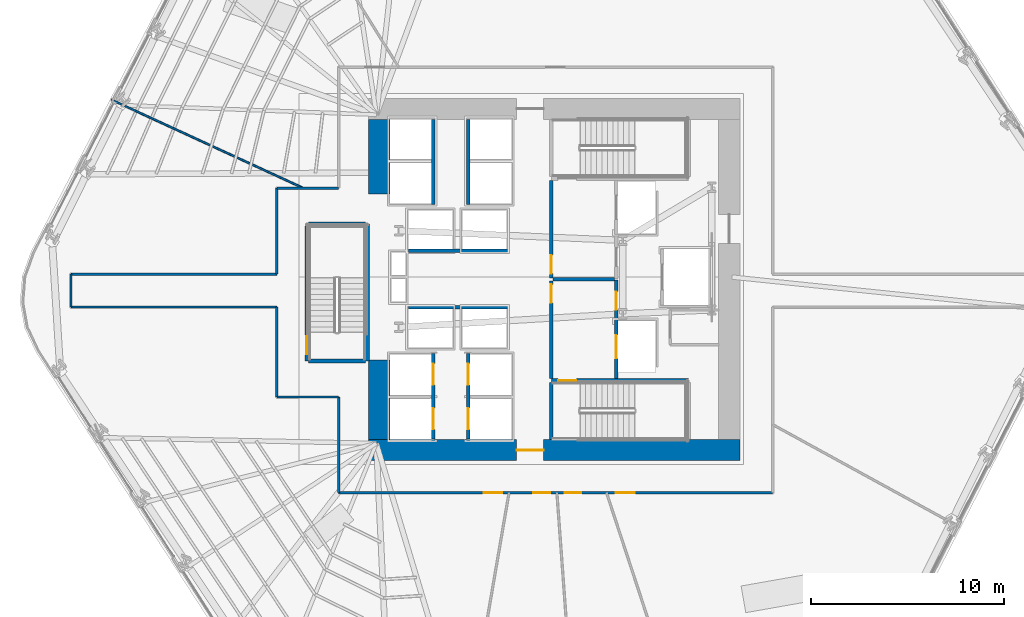
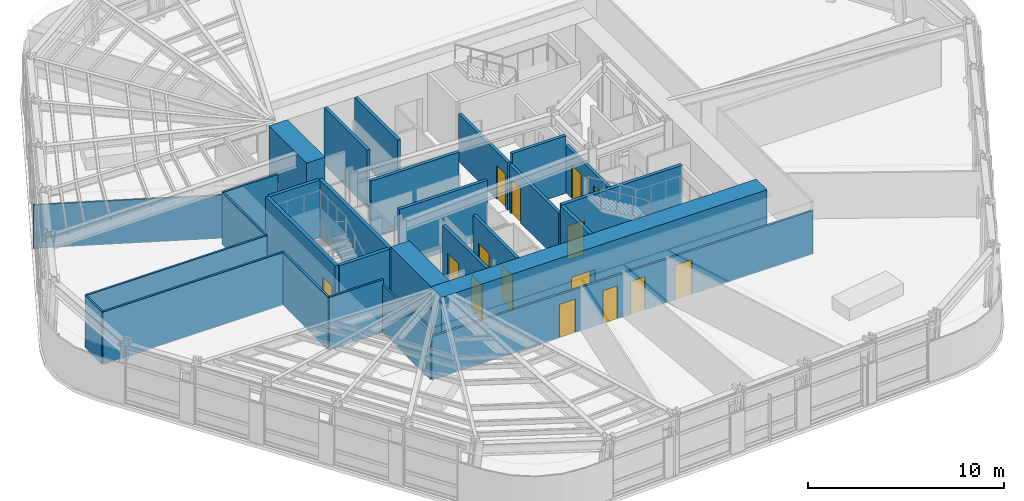
# One storey, part 8 of 15: 29 walls, 15 doors, 15 openings.
"""IFC4 building model written with IfcOpenShell, lengths in metres."""

from ifc_helpers import new_model, si_unit, direction, frame, frame_2d, origin, place, context, subcontext, project, spatial, rectangle, extrude, material, layer, layer_set, type_object, element, fill, save


model = new_model("IFC4")

# Units and contexts
model_context = context("Model", 3, precision=1e-05, world=origin(), true_north=direction((0.0, 1.0)))
body_context = subcontext(model_context, "Body", "Model", "MODEL_VIEW")
ifc_project = project(units=[si_unit("LENGTHUNIT", "METRE"), si_unit("AREAUNIT", "SQUARE_METRE"), si_unit("VOLUMEUNIT", "CUBIC_METRE"), si_unit("PLANEANGLEUNIT", "RADIAN"), si_unit("MASSUNIT", "GRAM", prefix="KILO")], contexts=[model_context])

# Site, building, storey
site_placement = place(None, origin())
site = spatial("IfcSite", under=ifc_project, at=site_placement, CompositionType="ELEMENT")
building_placement = place(site_placement, origin())
building = spatial("IfcBuilding", under=site, at=building_placement, Name="Valkerne Bourse Tower", CompositionType="ELEMENT")
storey_placement = place(building_placement, frame((0.0, 0.0, 35.39990234375)))
storey = spatial("IfcBuildingStorey", under=building, at=storey_placement, Name="L08", CompositionType="ELEMENT", Elevation=35.39990234375)

# Wall, opening, door
ifc_material_1 = material(Name="Concrete C70/85", Category="concrete")
ifc_layer_1 = layer(ifc_material_1, 1.10009765625)
ifc_layer_set_1 = layer_set([ifc_layer_1], Name="Concrete C70/85")
wall_type_1 = type_object("IfcWallType", Name="W-CORE-1100", PredefinedType="SHEAR", material=ifc_layer_set_1)
wall_1_placement = place(storey_placement, frame((37.199951171875, 18.050048828125, 0.0), z_axis=(0.0, 0.0, 1.0), x_axis=(1.0, 0.0, 0.0)))
wall_1 = element("IfcWall", 1, at=wall_1_placement, inside=storey, type_object=wall_type_1, Name="L08 Core Shear Wall SOUTH", PredefinedType="SHEAR", context=body_context, shape_type="SweptSolid", body=[
    extrude(rectangle(XDim=19.199951171875, YDim=1.10009765625, at=frame_2d((9.60009765625, 0.0))), origin(), (0.0, 0.0, 1.0), 3.580078125),
])
opening_1_placement = place(wall_1_placement, frame((7.64990234375, 0.0, 0.0)))
opening_1 = element("IfcOpeningElement", 2, at=opening_1_placement, cuts=wall_1, Name="Opening D-PL-1400", PredefinedType="OPENING", context=body_context, shape_type="SweptSolid", body=[
    extrude(rectangle(XDim=1.39990234375, YDim=2.14990234375, at=frame_2d((0.699951171875, 1.074951171875))), frame((0.0, 0.56005859375, 0.0), z_axis=(0.0, -1.0, 0.0), x_axis=(1.0, 0.0, 0.0)), (0.0, 0.0, 1.0), 1.1201171875),
])
ifc_material_2 = material(Name="Galvanised Painted Steel", Category="steel")
door_type_1 = type_object("IfcDoorType", Name="DR-PLT-1400", OperationType="DOUBLE_DOOR_SINGLE_SWING", PredefinedType="DOOR", material=ifc_material_2)
door_1_placement = place(opening_1_placement, origin())
door_1 = element("IfcDoor", 3, at=door_1_placement, inside=storey, type_object=door_type_1, Name="L08 South Passenger Lift Hall Fire Door", OperationType="DOUBLE_DOOR_SINGLE_SWING", OverallHeight=2.14990234375, OverallWidth=1.39990234375, PredefinedType="DOOR", context=body_context, shape_type="SweptSolid", body=[
    extrude(rectangle(XDim=1.39990234375, YDim=2.14990234375, at=frame_2d((0.699951171875, 1.074951171875))), frame((0.0, 0.02490234375, 0.0), z_axis=(0.0, -1.0, 0.0), x_axis=(1.0, 0.0, 0.0)), (0.0, 0.0, 1.0), 0.050048828125),
])
fill(opening_1, door_1)

# Walls
wall_2_placement = place(storey_placement, frame((37.75, 18.60009765625, 0.0), z_axis=(0.0, 0.0, 1.0), x_axis=(0.0, 1.0, 0.0)))
element("IfcWall", 4, at=wall_2_placement, inside=storey, type_object=wall_type_1, Name="L08 Core Shear Wall WEST-S", PredefinedType="SHEAR", context=body_context, shape_type="SweptSolid", body=[
    extrude(rectangle(XDim=4.099853515625, YDim=1.10009765625, at=frame_2d((2.0498046875, 0.0))), origin(), (0.0, 0.0, 1.0), 3.580078125),
])
wall_3_placement = place(storey_placement, frame((37.75, 31.300048828125, 0.0), z_axis=(0.0, 0.0, 1.0), x_axis=(0.0, 1.0, 0.0)))
element("IfcWall", 5, at=wall_3_placement, inside=storey, type_object=wall_type_1, Name="L08 Core Shear Wall WEST-N", PredefinedType="SHEAR", context=body_context, shape_type="SweptSolid", body=[
    extrude(rectangle(XDim=3.849853515625, YDim=1.10009765625, at=frame_2d((1.9248046875, 0.0))), origin(), (0.0, 0.0, 1.0), 3.580078125),
])

# Wall, openings, doors
ifc_material_3 = material(Name="Gypsum Board Steel-Stud Partition", Category="steel")
ifc_layer_2 = layer(ifc_material_3, 0.117919921875)
ifc_layer_set_2 = layer_set([ifc_layer_2], Name="Gypsum Board Steel-Stud Partition")
wall_type_2 = type_object("IfcWallType", Name="W-CORR-140", PredefinedType="PARTITIONING", material=ifc_layer_set_2)
wall_4_placement = place(storey_placement, frame((58.10009765625, 15.85009765625, 0.0), z_axis=(0.0, 0.0, 1.0), x_axis=(-1.0, 0.0, 0.0)))
wall_4 = element("IfcWall", 6, at=wall_4_placement, inside=storey, type_object=wall_type_2, Name="L08 Corridor Enclosure Wall", PredefinedType="PARTITIONING", context=body_context, shape_type="SweptSolid", body=[
    extrude(rectangle(XDim=22.4501953125, YDim=0.117919921875, at=frame_2d((11.22509765625, 0.0))), origin(), (0.0, 0.0, 1.0), 2.71142578125),
])
opening_2_placement = place(wall_4_placement, frame((11.514892578125, 0.0, 0.0)))
opening_2 = element("IfcOpeningElement", 7, at=opening_2_placement, cuts=wall_4, Name="Opening D-WC-900", PredefinedType="OPENING", context=body_context, shape_type="SweptSolid", body=[
    extrude(rectangle(XDim=0.860107421875, YDim=2.050048828125, at=frame_2d((0.43017578125, 1.02490234375))), frame((0.0, 0.06884765625, 0.0), z_axis=(0.0, -1.0, 0.0), x_axis=(1.0, 0.0, 0.0)), (0.0, 0.0, 1.0), 0.137939453125),
])
opening_3_placement = place(wall_4_placement, frame((9.89501953125, 0.0, 0.0)))
opening_3 = element("IfcOpeningElement", 8, at=opening_3_placement, cuts=wall_4, Name="Opening D-WC-900", PredefinedType="OPENING", context=body_context, shape_type="SweptSolid", body=[
    extrude(rectangle(XDim=0.860107421875, YDim=2.050048828125, at=frame_2d((0.43017578125, 1.02490234375))), frame((0.0, 0.06884765625, 0.0), z_axis=(0.0, -1.0, 0.0), x_axis=(1.0, 0.0, 0.0)), (0.0, 0.0, 1.0), 0.137939453125),
])
opening_4_placement = place(wall_4_placement, frame((7.125, 0.0, 0.0)))
opening_4 = element("IfcOpeningElement", 9, at=opening_4_placement, cuts=wall_4, Name="Opening D-MG-1000", PredefinedType="OPENING", context=body_context, shape_type="SweptSolid", body=[
    extrude(rectangle(XDim=1.0, YDim=2.14990234375, at=frame_2d((0.5, 1.074951171875))), frame((0.0, 0.06884765625, 0.0), z_axis=(0.0, -1.0, 0.0), x_axis=(1.0, 0.0, 0.0)), (0.0, 0.0, 1.0), 0.137939453125),
])
opening_5_placement = place(wall_4_placement, frame((13.989990234375, 0.0, 0.0)))
opening_5 = element("IfcOpeningElement", 10, at=opening_5_placement, cuts=wall_4, Name="Opening D-OF-950", PredefinedType="OPENING", context=body_context, shape_type="SweptSolid", body=[
    extrude(rectangle(XDim=0.949951171875, YDim=2.10009765625, at=frame_2d((0.47509765625, 1.050048828125))), frame((0.0, 0.06884765625, 0.0), z_axis=(0.0, -1.0, 0.0), x_axis=(1.0, 0.0, 0.0)), (0.0, 0.0, 1.0), 0.137939453125),
])
ifc_material_4 = material(Name="Laminated Tempered Safety Glass", Category="glass")
door_type_2 = type_object("IfcDoorType", Name="DR-MTG-1000", OperationType="NOTDEFINED", PredefinedType="DOOR", material=ifc_material_4)
door_2_placement = place(opening_4_placement, origin())
door_2 = element("IfcDoor", 11, at=door_2_placement, inside=storey, type_object=door_type_2, Name="L08 L08 Client Strategy Conference Room 4 Door", OperationType="SINGLE_SWING_RIGHT", OverallHeight=2.14990234375, OverallWidth=1.0, PredefinedType="DOOR", context=body_context, shape_type="SweptSolid", body=[
    extrude(rectangle(XDim=1.0, YDim=2.14990234375, at=frame_2d((0.5, 1.074951171875))), frame((0.0, 0.02490234375, 0.0), z_axis=(0.0, -1.0, 0.0), x_axis=(1.0, 0.0, 0.0)), (0.0, 0.0, 1.0), 0.050048828125),
])
fill(opening_4, door_2)
ifc_material_5 = material(Name="Architectural White Oak Timber", Category="wood")
door_type_3 = type_object("IfcDoorType", Name="DR-OFF-950", OperationType="NOTDEFINED", PredefinedType="DOOR", material=ifc_material_5)
door_3_placement = place(opening_5_placement, origin())
door_3 = element("IfcDoor", 12, at=door_3_placement, inside=storey, type_object=door_type_3, Name="L08 L08 Member Collaboration Club Salon 5 Door", OperationType="SINGLE_SWING_RIGHT", OverallHeight=2.10009765625, OverallWidth=0.949951171875, PredefinedType="DOOR", context=body_context, shape_type="SweptSolid", body=[
    extrude(rectangle(XDim=0.949951171875, YDim=2.10009765625, at=frame_2d((0.47509765625, 1.050048828125))), frame((0.0, 0.02490234375, 0.0), z_axis=(0.0, -1.0, 0.0), x_axis=(1.0, 0.0, 0.0)), (0.0, 0.0, 1.0), 0.050048828125),
])
fill(opening_5, door_3)
door_type_4 = type_object("IfcDoorType", Name="DR-WC-900", OperationType="NOTDEFINED", PredefinedType="DOOR", material=ifc_material_5)
door_4_placement = place(opening_2_placement, origin())
door_4 = element("IfcDoor", 13, at=door_4_placement, inside=storey, type_object=door_type_4, Name="L08 L08 Men Bathroom WC 1 Door", OperationType="SINGLE_SWING_LEFT", OverallHeight=2.050048828125, OverallWidth=0.860107421875, PredefinedType="DOOR", context=body_context, shape_type="SweptSolid", body=[
    extrude(rectangle(XDim=0.860107421875, YDim=2.050048828125, at=frame_2d((0.43017578125, 1.02490234375))), frame((0.0, 0.02490234375, 0.0), z_axis=(0.0, -1.0, 0.0), x_axis=(1.0, 0.0, 0.0)), (0.0, 0.0, 1.0), 0.050048828125),
])
fill(opening_2, door_4)
door_5_placement = place(opening_3_placement, origin())
door_5 = element("IfcDoor", 14, at=door_5_placement, inside=storey, type_object=door_type_4, Name="L08 L08 Women Restroom & Shower WC 2 Door", OperationType="SINGLE_SWING_LEFT", OverallHeight=2.050048828125, OverallWidth=0.860107421875, PredefinedType="DOOR", context=body_context, shape_type="SweptSolid", body=[
    extrude(rectangle(XDim=0.860107421875, YDim=2.050048828125, at=frame_2d((0.43017578125, 1.02490234375))), frame((0.0, 0.02490234375, 0.0), z_axis=(0.0, -1.0, 0.0), x_axis=(1.0, 0.0, 0.0)), (0.0, 0.0, 1.0), 0.050048828125),
])
fill(opening_3, door_5)

# Walls
wall_5_placement = place(storey_placement, frame((35.64990234375, 15.85009765625, 0.0), z_axis=(0.0, 0.0, 1.0), x_axis=(0.0, 1.0, 0.0)))
element("IfcWall", 15, at=wall_5_placement, inside=storey, type_object=wall_type_2, Name="L08 Corridor Enclosure Wall", PredefinedType="PARTITIONING", context=body_context, shape_type="SweptSolid", body=[
    extrude(rectangle(XDim=4.949951171875, YDim=0.117919921875, at=frame_2d((2.47509765625, 0.0))), origin(), (0.0, 0.0, 1.0), 2.962890625),
])
wall_6_placement = place(storey_placement, frame((35.64990234375, 20.800048828125, 0.0), z_axis=(0.0, 0.0, 1.0), x_axis=(-1.0, 0.0, 0.0)))
element("IfcWall", 16, at=wall_6_placement, inside=storey, type_object=wall_type_2, Name="L08 Corridor Enclosure Wall", PredefinedType="PARTITIONING", context=body_context, shape_type="SweptSolid", body=[
    extrude(rectangle(XDim=3.199951171875, YDim=0.117919921875, at=frame_2d((1.60009765625, 0.0))), origin(), (0.0, 0.0, 1.0), 3.280029296875),
])
wall_7_placement = place(storey_placement, frame((32.449951171875, 20.800048828125, 0.0), z_axis=(0.0, 0.0, 1.0), x_axis=(0.0, 1.0, 0.0)))
element("IfcWall", 17, at=wall_7_placement, inside=storey, type_object=wall_type_2, Name="L08 Corridor Enclosure Wall", PredefinedType="PARTITIONING", context=body_context, shape_type="SweptSolid", body=[
    extrude(rectangle(XDim=4.64990234375, YDim=0.117919921875, at=frame_2d((2.324951171875, 0.0))), origin(), (0.0, 0.0, 1.0), 3.280029296875),
])
wall_8_placement = place(storey_placement, frame((32.449951171875, 25.449951171875, 0.0), z_axis=(0.0, 0.0, 1.0), x_axis=(-1.0, 0.0, 0.0)))
element("IfcWall", 18, at=wall_8_placement, inside=storey, type_object=wall_type_2, Name="L08 Corridor Enclosure Wall", PredefinedType="PARTITIONING", context=body_context, shape_type="SweptSolid", body=[
    extrude(rectangle(XDim=10.64990234375, YDim=0.117919921875, at=frame_2d((5.324951171875, 0.0))), origin(), (0.0, 0.0, 1.0), 3.280029296875),
])
wall_9_placement = place(storey_placement, frame((21.800048828125, 25.449951171875, 0.0), z_axis=(0.0, 0.0, 1.0), x_axis=(0.0, 1.0, 0.0)))
element("IfcWall", 19, at=wall_9_placement, inside=storey, type_object=wall_type_2, Name="L08 Corridor Enclosure Wall", PredefinedType="PARTITIONING", context=body_context, shape_type="SweptSolid", body=[
    extrude(rectangle(XDim=1.699951171875, YDim=0.117919921875, at=frame_2d((0.85009765625, 0.0))), origin(), (0.0, 0.0, 1.0), 3.280029296875),
])
wall_10_placement = place(storey_placement, frame((21.800048828125, 27.14990234375, 0.0), z_axis=(0.0, 0.0, 1.0), x_axis=(1.0, 0.0, 0.0)))
element("IfcWall", 20, at=wall_10_placement, inside=storey, type_object=wall_type_2, Name="L08 Corridor Enclosure Wall", PredefinedType="PARTITIONING", context=body_context, shape_type="SweptSolid", body=[
    extrude(rectangle(XDim=10.64990234375, YDim=0.117919921875, at=frame_2d((5.324951171875, 0.0))), origin(), (0.0, 0.0, 1.0), 3.280029296875),
])
wall_11_placement = place(storey_placement, frame((32.449951171875, 27.14990234375, 0.0), z_axis=(0.0, 0.0, 1.0), x_axis=(0.0, 1.0, 0.0)))
element("IfcWall", 21, at=wall_11_placement, inside=storey, type_object=wall_type_2, Name="L08 Corridor Enclosure Wall", PredefinedType="PARTITIONING", context=body_context, shape_type="SweptSolid", body=[
    extrude(rectangle(XDim=4.4501953125, YDim=0.117919921875, at=frame_2d((2.22509765625, 0.0))), origin(), (0.0, 0.0, 1.0), 3.280029296875),
])
wall_12_placement = place(storey_placement, frame((32.449951171875, 31.60009765625, 0.0), z_axis=(0.0, 0.0, 1.0), x_axis=(1.0, 0.0, 0.0)))
element("IfcWall", 22, at=wall_12_placement, inside=storey, type_object=wall_type_2, Name="L08 Corridor Enclosure Wall", PredefinedType="PARTITIONING", context=body_context, shape_type="SweptSolid", body=[
    extrude(rectangle(XDim=3.199951171875, YDim=0.117919921875, at=frame_2d((1.60009765625, 0.0))), origin(), (0.0, 0.0, 1.0), 3.280029296875),
])
ifc_material_6 = material(Name="Gypsum Fire-Rated Shaftwall", Category="gypsum")
ifc_layer_3 = layer(ifc_material_6, 0.179931640625)
ifc_layer_set_3 = layer_set([ifc_layer_3], Name="Gypsum Fire-Rated Shaftwall")
wall_type_3 = type_object("IfcWallType", Name="W-FSAE-180", PredefinedType="PARTITIONING", material=ifc_layer_set_3)
wall_13_placement = place(storey_placement, frame((46.739990234375, 26.8798828125, 0.0), z_axis=(0.0, 0.0, 1.0), x_axis=(1.0, 0.0, 0.0)))
element("IfcWall", 23, at=wall_13_placement, inside=storey, type_object=wall_type_3, Name="L08 FSAE-1/2 Lobby Dividing Fire Wall", PredefinedType="PARTITIONING", context=body_context, shape_type="SweptSolid", body=[
    extrude(rectangle(XDim=3.169921875, YDim=0.179931640625, at=frame_2d((1.5849609375, 0.0))), origin(), (0.0, 0.0, 1.0), 3.580078125),
])

# Wall, opening, door
wall_14_placement = place(storey_placement, frame((46.64990234375, 21.75, 0.0), z_axis=(0.0, 0.0, 1.0), x_axis=(0.0, 1.0, 0.0)))
wall_14 = element("IfcWall", 24, at=wall_14_placement, inside=storey, type_object=wall_type_3, Name="L08 FSAE-1 Lobby West Fire Wall", PredefinedType="PARTITIONING", context=body_context, shape_type="SweptSolid", body=[
    extrude(rectangle(XDim=5.050048828125, YDim=0.179931640625, at=frame_2d((2.52490234375, 0.0))), origin(), (0.0, 0.0, 1.0), 2.9580078125),
])
opening_6_placement = place(wall_14_placement, frame((3.919921875, 0.0, 0.0)))
opening_6 = element("IfcOpeningElement", 25, at=opening_6_placement, cuts=wall_14, Name="Opening D-FS-950", PredefinedType="OPENING", context=body_context, shape_type="SweptSolid", body=[
    extrude(rectangle(XDim=0.949951171875, YDim=2.10009765625, at=frame_2d((0.47509765625, 1.050048828125))), frame((0.0, 0.099853515625, 0.0), z_axis=(0.0, -1.0, 0.0), x_axis=(1.0, 0.0, 0.0)), (0.0, 0.0, 1.0), 0.199951171875),
])
door_type_5 = type_object("IfcDoorType", Name="DR-FSAE-950", OperationType="NOTDEFINED", PredefinedType="DOOR", material=ifc_material_2)
door_6_placement = place(opening_6_placement, origin())
door_6 = element("IfcDoor", 26, at=door_6_placement, inside=storey, type_object=door_type_5, Name="L08 FSAE-1 Hall Link Fire Door", OperationType="SINGLE_SWING_RIGHT", OverallHeight=2.10009765625, OverallWidth=0.949951171875, PredefinedType="DOOR", context=body_context, shape_type="SweptSolid", body=[
    extrude(rectangle(XDim=0.949951171875, YDim=2.10009765625, at=frame_2d((0.47509765625, 1.050048828125))), frame((0.0, 0.02490234375, 0.0), z_axis=(0.0, -1.0, 0.0), x_axis=(1.0, 0.0, 0.0)), (0.0, 0.0, 1.0), 0.050048828125),
])
fill(opening_6, door_6)

wall_15_placement = place(storey_placement, frame((46.64990234375, 26.9599609375, 0.0), z_axis=(0.0, 0.0, 1.0), x_axis=(0.0, 1.0, 0.0)))
wall_15 = element("IfcWall", 27, at=wall_15_placement, inside=storey, type_object=wall_type_3, Name="L08 FSAE-2 Lobby West Fire Wall", PredefinedType="PARTITIONING", context=body_context, shape_type="SweptSolid", body=[
    extrude(rectangle(XDim=5.0400390625, YDim=0.179931640625, at=frame_2d((2.52001953125, 0.0))), origin(), (0.0, 0.0, 1.0), 2.9580078125),
])
opening_7_placement = place(wall_15_placement, frame((0.219970703125, 0.0, 0.0)))
opening_7 = element("IfcOpeningElement", 28, at=opening_7_placement, cuts=wall_15, Name="Opening D-FS-950", PredefinedType="OPENING", context=body_context, shape_type="SweptSolid", body=[
    extrude(rectangle(XDim=0.949951171875, YDim=2.10009765625, at=frame_2d((0.47509765625, 1.050048828125))), frame((0.0, 0.099853515625, 0.0), z_axis=(0.0, -1.0, 0.0), x_axis=(1.0, 0.0, 0.0)), (0.0, 0.0, 1.0), 0.199951171875),
])
door_7_placement = place(opening_7_placement, origin())
door_7 = element("IfcDoor", 29, at=door_7_placement, inside=storey, type_object=door_type_5, Name="L08 FSAE-2 Hall Link Fire Door", OperationType="SINGLE_SWING_LEFT", OverallHeight=2.10009765625, OverallWidth=0.949951171875, PredefinedType="DOOR", context=body_context, shape_type="SweptSolid", body=[
    extrude(rectangle(XDim=0.949951171875, YDim=2.10009765625, at=frame_2d((0.47509765625, 1.050048828125))), frame((0.0, 0.02490234375, 0.0), z_axis=(0.0, -1.0, 0.0), x_axis=(1.0, 0.0, 0.0)), (0.0, 0.0, 1.0), 0.050048828125),
])
fill(opening_7, door_7)

# Wall, openings, doors
wall_16_placement = place(storey_placement, frame((50.0, 21.75, 0.0), z_axis=(0.0, 0.0, 1.0), x_axis=(0.0, 1.0, 0.0)))
wall_16 = element("IfcWall", 30, at=wall_16_placement, inside=storey, type_object=wall_type_3, Name="L08 FSAE-1 Lobby & Shaft Front Wall", PredefinedType="PARTITIONING", context=body_context, shape_type="SweptSolid", body=[
    extrude(rectangle(XDim=5.090087890625, YDim=0.179931640625, at=frame_2d((2.544921875, 0.0))), origin(), (0.0, 0.0, 1.0), 2.9580078125),
])
opening_8_placement = place(wall_16_placement, frame((1.050048828125, 0.0, 0.0)))
opening_8 = element("IfcOpeningElement", 31, at=opening_8_placement, cuts=wall_16, Name="Opening LD-1200", PredefinedType="OPENING", context=body_context, shape_type="SweptSolid", body=[
    extrude(rectangle(XDim=1.199951171875, YDim=2.14990234375, at=frame_2d((0.60009765625, 1.074951171875))), frame((0.0, 0.099853515625, 0.0), z_axis=(0.0, -1.0, 0.0), x_axis=(1.0, 0.0, 0.0)), (0.0, 0.0, 1.0), 0.199951171875),
])
opening_9_placement = place(wall_16_placement, frame((3.550048828125, 0.0, 0.0)))
opening_9 = element("IfcOpeningElement", 32, at=opening_9_placement, cuts=wall_16, Name="Opening D-FS-950", PredefinedType="OPENING", context=body_context, shape_type="SweptSolid", body=[
    extrude(rectangle(XDim=0.949951171875, YDim=2.10009765625, at=frame_2d((0.47509765625, 1.050048828125))), frame((0.0, 0.099853515625, 0.0), z_axis=(0.0, -1.0, 0.0), x_axis=(1.0, 0.0, 0.0)), (0.0, 0.0, 1.0), 0.199951171875),
])
door_8_placement = place(opening_9_placement, origin())
door_8 = element("IfcDoor", 33, at=door_8_placement, inside=storey, type_object=door_type_5, Name="L08 FSAE-1 Lobby Corridor Fire Door", OperationType="SINGLE_SWING_LEFT", OverallHeight=2.10009765625, OverallWidth=0.949951171875, PredefinedType="DOOR", context=body_context, shape_type="SweptSolid", body=[
    extrude(rectangle(XDim=0.949951171875, YDim=2.10009765625, at=frame_2d((0.47509765625, 1.050048828125))), frame((0.0, 0.02490234375, 0.0), z_axis=(0.0, -1.0, 0.0), x_axis=(1.0, 0.0, 0.0)), (0.0, 0.0, 1.0), 0.050048828125),
])
fill(opening_9, door_8)
ifc_material_7 = material(Name="Stainless Steel AISI 316", Category="steel")
door_type_6 = type_object("IfcDoorType", Name="DR-LIFT-1200", OperationType="DOUBLE_DOOR_SLIDING", PredefinedType="DOOR", material=ifc_material_7)
door_9_placement = place(opening_8_placement, origin())
door_9 = element("IfcDoor", 34, at=door_9_placement, inside=storey, type_object=door_type_6, Name="L08 FSAE-1 Firefighting Lift Landing Door", OperationType="DOUBLE_DOOR_SLIDING", OverallHeight=2.14990234375, OverallWidth=1.199951171875, PredefinedType="DOOR", context=body_context, shape_type="SweptSolid", body=[
    extrude(rectangle(XDim=1.199951171875, YDim=2.14990234375, at=frame_2d((0.60009765625, 1.074951171875))), frame((0.0, 0.02490234375, 0.0), z_axis=(0.0, -1.0, 0.0), x_axis=(1.0, 0.0, 0.0)), (0.0, 0.0, 1.0), 0.050048828125),
])
fill(opening_8, door_9)

ifc_material_8 = material(Name="CMU Blockwork Masonry 200mm", Category="masonry")
ifc_layer_4 = layer(ifc_material_8, 0.179931640625)
ifc_layer_set_4 = layer_set([ifc_layer_4], Name="CMU Blockwork Masonry 200mm")
wall_type_4 = type_object("IfcWallType", Name="W-LFT-180", PredefinedType="SOLIDWALL", material=ifc_layer_set_4)
wall_17_placement = place(storey_placement, frame((40.550048828125, 18.6201171875, 0.0), z_axis=(0.0, 0.0, 1.0), x_axis=(0.0, 1.0, 0.0)))
wall_17 = element("IfcWall", 35, at=wall_17_placement, inside=storey, type_object=wall_type_4, Name="L08 Low-Zone West Cars Front Wall", PredefinedType="SOLIDWALL", context=body_context, shape_type="SweptSolid", body=[
    extrude(rectangle(XDim=4.429931640625, YDim=0.179931640625, at=frame_2d((2.21484375, 0.0))), origin(), (0.0, 0.0, 1.0), 3.580078125),
])
opening_10_placement = place(wall_17_placement, frame((0.5, 0.0, 0.0)))
opening_10 = element("IfcOpeningElement", 36, at=opening_10_placement, cuts=wall_17, Name="Opening LD-1100", PredefinedType="OPENING", context=body_context, shape_type="SweptSolid", body=[
    extrude(rectangle(XDim=1.10009765625, YDim=2.14990234375, at=frame_2d((0.550048828125, 1.074951171875))), frame((0.0, 0.099853515625, 0.0), z_axis=(0.0, -1.0, 0.0), x_axis=(1.0, 0.0, 0.0)), (0.0, 0.0, 1.0), 0.199951171875),
])
opening_11_placement = place(wall_17_placement, frame((2.800048828125, 0.0, 0.0)))
opening_11 = element("IfcOpeningElement", 37, at=opening_11_placement, cuts=wall_17, Name="Opening LD-1100", PredefinedType="OPENING", context=body_context, shape_type="SweptSolid", body=[
    extrude(rectangle(XDim=1.10009765625, YDim=2.14990234375, at=frame_2d((0.550048828125, 1.074951171875))), frame((0.0, 0.099853515625, 0.0), z_axis=(0.0, -1.0, 0.0), x_axis=(1.0, 0.0, 0.0)), (0.0, 0.0, 1.0), 0.199951171875),
])
door_type_7 = type_object("IfcDoorType", Name="DR-LIFT-1100", OperationType="DOUBLE_DOOR_SLIDING", PredefinedType="DOOR", material=ifc_material_7)
door_10_placement = place(opening_10_placement, origin())
door_10 = element("IfcDoor", 38, at=door_10_placement, inside=storey, type_object=door_type_7, Name="L08 Passenger Lift PL-L1 Sliding Landing Door", OperationType="DOUBLE_DOOR_SLIDING", OverallHeight=2.14990234375, OverallWidth=1.10009765625, PredefinedType="DOOR", context=body_context, shape_type="SweptSolid", body=[
    extrude(rectangle(XDim=1.10009765625, YDim=2.14990234375, at=frame_2d((0.550048828125, 1.074951171875))), frame((0.0, 0.02490234375, 0.0), z_axis=(0.0, -1.0, 0.0), x_axis=(1.0, 0.0, 0.0)), (0.0, 0.0, 1.0), 0.050048828125),
])
fill(opening_10, door_10)
door_11_placement = place(opening_11_placement, origin())
door_11 = element("IfcDoor", 39, at=door_11_placement, inside=storey, type_object=door_type_7, Name="L08 Passenger Lift PL-L2 Sliding Landing Door", OperationType="DOUBLE_DOOR_SLIDING", OverallHeight=2.14990234375, OverallWidth=1.10009765625, PredefinedType="DOOR", context=body_context, shape_type="SweptSolid", body=[
    extrude(rectangle(XDim=1.10009765625, YDim=2.14990234375, at=frame_2d((0.550048828125, 1.074951171875))), frame((0.0, 0.02490234375, 0.0), z_axis=(0.0, -1.0, 0.0), x_axis=(1.0, 0.0, 0.0)), (0.0, 0.0, 1.0), 0.050048828125),
])
fill(opening_11, door_11)

wall_18_placement = place(storey_placement, frame((42.35009765625, 18.6201171875, 0.0), z_axis=(0.0, 0.0, 1.0), x_axis=(0.0, 1.0, 0.0)))
wall_18 = element("IfcWall", 40, at=wall_18_placement, inside=storey, type_object=wall_type_4, Name="L08 Low-Zone East Cars Front Wall", PredefinedType="SOLIDWALL", context=body_context, shape_type="SweptSolid", body=[
    extrude(rectangle(XDim=4.429931640625, YDim=0.179931640625, at=frame_2d((2.21484375, 0.0))), origin(), (0.0, 0.0, 1.0), 3.580078125),
])
opening_12_placement = place(wall_18_placement, frame((0.5, 0.0, 0.0)))
opening_12 = element("IfcOpeningElement", 41, at=opening_12_placement, cuts=wall_18, Name="Opening LD-1100", PredefinedType="OPENING", context=body_context, shape_type="SweptSolid", body=[
    extrude(rectangle(XDim=1.10009765625, YDim=2.14990234375, at=frame_2d((0.550048828125, 1.074951171875))), frame((0.0, 0.099853515625, 0.0), z_axis=(0.0, -1.0, 0.0), x_axis=(1.0, 0.0, 0.0)), (0.0, 0.0, 1.0), 0.199951171875),
])
opening_13_placement = place(wall_18_placement, frame((2.800048828125, 0.0, 0.0)))
opening_13 = element("IfcOpeningElement", 42, at=opening_13_placement, cuts=wall_18, Name="Opening LD-1100", PredefinedType="OPENING", context=body_context, shape_type="SweptSolid", body=[
    extrude(rectangle(XDim=1.10009765625, YDim=2.14990234375, at=frame_2d((0.550048828125, 1.074951171875))), frame((0.0, 0.099853515625, 0.0), z_axis=(0.0, -1.0, 0.0), x_axis=(1.0, 0.0, 0.0)), (0.0, 0.0, 1.0), 0.199951171875),
])
door_12_placement = place(opening_12_placement, origin())
door_12 = element("IfcDoor", 43, at=door_12_placement, inside=storey, type_object=door_type_7, Name="L08 Passenger Lift PL-L3 Sliding Landing Door", OperationType="DOUBLE_DOOR_SLIDING", OverallHeight=2.14990234375, OverallWidth=1.10009765625, PredefinedType="DOOR", context=body_context, shape_type="SweptSolid", body=[
    extrude(rectangle(XDim=1.10009765625, YDim=2.14990234375, at=frame_2d((0.550048828125, 1.074951171875))), frame((0.0, 0.02490234375, 0.0), z_axis=(0.0, -1.0, 0.0), x_axis=(1.0, 0.0, 0.0)), (0.0, 0.0, 1.0), 0.050048828125),
])
fill(opening_12, door_12)
door_13_placement = place(opening_13_placement, origin())
door_13 = element("IfcDoor", 44, at=door_13_placement, inside=storey, type_object=door_type_7, Name="L08 Passenger Lift PL-L4 Sliding Landing Door", OperationType="DOUBLE_DOOR_SLIDING", OverallHeight=2.14990234375, OverallWidth=1.10009765625, PredefinedType="DOOR", context=body_context, shape_type="SweptSolid", body=[
    extrude(rectangle(XDim=1.10009765625, YDim=2.14990234375, at=frame_2d((0.550048828125, 1.074951171875))), frame((0.0, 0.02490234375, 0.0), z_axis=(0.0, -1.0, 0.0), x_axis=(1.0, 0.0, 0.0)), (0.0, 0.0, 1.0), 0.050048828125),
])
fill(opening_13, door_13)

# Walls
for number, where, z_axis, x_axis, name in (
    (45, (40.550048828125, 30.75, 0.0), (0.0, 0.0, 1.0), (0.0, 1.0, 0.0), "L08 Mid-Zone West Cars Front Wall"),
    (46, (42.35009765625, 30.75, 0.0), (0.0, 0.0, 1.0), (0.0, 1.0, 0.0), "L08 Mid-Zone East Cars Front Wall"),
):
    element("IfcWall", number, at=place(storey_placement, frame(where, z_axis=z_axis, x_axis=x_axis)), inside=storey, type_object=wall_type_4, Name=name, PredefinedType="SOLIDWALL", context=body_context, shape_type="SweptSolid", body=[
        extrude(rectangle(XDim=4.39990234375, YDim=0.179931640625, at=frame_2d((2.199951171875, 0.0))), origin(), (0.0, 0.0, 1.0), 3.580078125),
    ])
for number, where, z_axis, x_axis, name in (
    (47, (39.25, 25.449951171875, 0.0), (0.0, 0.0, 1.0), (1.0, 0.0, 0.0), "L08 High-Zone South Cars Front Wall"),
    (48, (39.25, 28.35009765625, 0.0), (0.0, 0.0, 1.0), (1.0, 0.0, 0.0), "L08 High-Zone North Cars Front Wall"),
):
    element("IfcWall", number, at=place(storey_placement, frame(where, z_axis=z_axis, x_axis=x_axis)), inside=storey, type_object=wall_type_4, Name=name, PredefinedType="SOLIDWALL", context=body_context, shape_type="SweptSolid", body=[
        extrude(rectangle(XDim=5.199951171875, YDim=0.179931640625, at=frame_2d((2.60009765625, 0.0))), origin(), (0.0, 0.0, 1.0), 3.580078125),
    ])
ifc_layer_5 = layer(ifc_material_3, 0.092041015625)
ifc_layer_set_5 = layer_set([ifc_layer_5], Name="Gypsum Board Steel-Stud Partition")
wall_type_5 = type_object("IfcWallType", Name="W-PART-115", PredefinedType="PARTITIONING", material=ifc_layer_set_5)
wall_19_placement = place(storey_placement, frame((33.81201171875, 31.60498046875, 0.0), z_axis=(0.0, 0.0, 1.0), x_axis=(-0.908307860222, 0.41830232017, 0.0)))
element("IfcWall", 49, at=wall_19_placement, inside=storey, type_object=wall_type_5, Name="L08 Suite Partition P06", PredefinedType="PARTITIONING", context=body_context, shape_type="SweptSolid", body=[
    extrude(rectangle(XDim=10.91943359375, YDim=0.092041015625, at=frame_2d((5.459716796875, 0.0))), origin(), (0.0, 0.0, 1.0), 2.71142578125),
])

# Wall, opening, door
ifc_material_9 = material(Name="Concrete C40/50", Category="concrete")
ifc_layer_6 = layer(ifc_material_9, 0.199951171875)
ifc_layer_set_6 = layer_set([ifc_layer_6], Name="Concrete C40/50")
wall_type_6 = type_object("IfcWallType", Name="W-SHF-200", PredefinedType="SHEAR", material=ifc_layer_set_6)
wall_20_placement = place(storey_placement, frame((46.64990234375, 21.64990234375, 0.0), z_axis=(0.0, 0.0, 1.0), x_axis=(1.0, 0.0, 0.0)))
wall_20 = element("IfcWall", 50, at=wall_20_placement, inside=storey, type_object=wall_type_6, Name="L08 Exit Stair ST-1 Structural Shaft Wall North", PredefinedType="SHEAR", context=body_context, shape_type="SweptSolid", body=[
    extrude(rectangle(XDim=7.10009765625, YDim=0.199951171875, at=frame_2d((3.550048828125, 0.0))), origin(), (0.0, 0.0, 1.0), 3.580078125),
])
opening_14_placement = place(wall_20_placement, frame((0.35009765625, 0.0, 0.0)))
opening_14 = element("IfcOpeningElement", 51, at=opening_14_placement, cuts=wall_20, Name="Opening D-ST-950", PredefinedType="OPENING", context=body_context, shape_type="SweptSolid", body=[
    extrude(rectangle(XDim=0.949951171875, YDim=2.10009765625, at=frame_2d((0.47509765625, 1.050048828125))), frame((0.0, 0.10986328125, 0.0), z_axis=(0.0, -1.0, 0.0), x_axis=(1.0, 0.0, 0.0)), (0.0, 0.0, 1.0), 0.219970703125),
])
door_type_8 = type_object("IfcDoorType", Name="DR-STAIR-950", OperationType="NOTDEFINED", PredefinedType="DOOR", material=ifc_material_2)
door_14_placement = place(opening_14_placement, origin())
door_14 = element("IfcDoor", 52, at=door_14_placement, inside=storey, type_object=door_type_8, Name="L08 Exit Stair ST-1 Door", OperationType="SINGLE_SWING_RIGHT", OverallHeight=2.10009765625, OverallWidth=0.949951171875, PredefinedType="DOOR", context=body_context, shape_type="SweptSolid", body=[
    extrude(rectangle(XDim=0.949951171875, YDim=2.10009765625, at=frame_2d((0.47509765625, 1.050048828125))), frame((0.0, 0.02490234375, 0.0), z_axis=(0.0, -1.0, 0.0), x_axis=(1.0, 0.0, 0.0)), (0.0, 0.0, 1.0), 0.050048828125),
])
fill(opening_14, door_14)

# Wall
wall_21_placement = place(storey_placement, frame((46.64990234375, 18.60009765625, 0.0), z_axis=(0.0, 0.0, 1.0), x_axis=(0.0, 1.0, 0.0)))
element("IfcWall", 53, at=wall_21_placement, inside=storey, type_object=wall_type_6, Name="L08 Exit Stair ST-1 Structural Shaft Wall West", PredefinedType="SHEAR", context=body_context, shape_type="SweptSolid", body=[
    extrude(rectangle(XDim=2.949951171875, YDim=0.199951171875, at=frame_2d((1.47509765625, 0.0))), origin(), (0.0, 0.0, 1.0), 3.580078125),
])

# Wall, opening, door
wall_22_placement = place(storey_placement, frame((34.0, 22.64990234375, 0.0), z_axis=(0.0, 0.0, 1.0), x_axis=(0.0, 1.0, 0.0)))
wall_22 = element("IfcWall", 54, at=wall_22_placement, inside=storey, type_object=wall_type_6, Name="L08 Exit Stair ST-3 Structural Shaft Wall West", PredefinedType="SHEAR", context=body_context, shape_type="SweptSolid", body=[
    extrude(rectangle(XDim=7.10009765625, YDim=0.199951171875, at=frame_2d((3.550048828125, 0.0))), origin(), (0.0, 0.0, 1.0), 3.580078125),
])
opening_15_placement = place(wall_22_placement, frame((0.35009765625, 0.0, 0.0)))
opening_15 = element("IfcOpeningElement", 55, at=opening_15_placement, cuts=wall_22, Name="Opening D-ST-950", PredefinedType="OPENING", context=body_context, shape_type="SweptSolid", body=[
    extrude(rectangle(XDim=0.949951171875, YDim=2.10009765625, at=frame_2d((0.47509765625, 1.050048828125))), frame((0.0, 0.10986328125, 0.0), z_axis=(0.0, -1.0, 0.0), x_axis=(1.0, 0.0, 0.0)), (0.0, 0.0, 1.0), 0.219970703125),
])
door_15_placement = place(opening_15_placement, origin())
door_15 = element("IfcDoor", 56, at=door_15_placement, inside=storey, type_object=door_type_8, Name="L08 Exit Stair ST-3 Door", OperationType="SINGLE_SWING_RIGHT", OverallHeight=2.10009765625, OverallWidth=0.949951171875, PredefinedType="DOOR", context=body_context, shape_type="SweptSolid", body=[
    extrude(rectangle(XDim=0.949951171875, YDim=2.10009765625, at=frame_2d((0.47509765625, 1.050048828125))), frame((0.0, 0.02490234375, 0.0), z_axis=(0.0, -1.0, 0.0), x_axis=(1.0, 0.0, 0.0)), (0.0, 0.0, 1.0), 0.050048828125),
])
fill(opening_15, door_15)

# Walls
for number, where, z_axis, x_axis, name in (
    (57, (34.10009765625, 22.64990234375, 0.0), (0.0, 0.0, 1.0), (1.0, 0.0, 0.0), "L08 Exit Stair ST-3 Structural Shaft Wall South"),
    (58, (34.10009765625, 29.75, 0.0), (0.0, 0.0, 1.0), (1.0, 0.0, 0.0), "L08 Exit Stair ST-3 Structural Shaft Wall North"),
):
    element("IfcWall", number, at=place(storey_placement, frame(where, z_axis=z_axis, x_axis=x_axis)), inside=storey, type_object=wall_type_6, Name=name, PredefinedType="SHEAR", context=body_context, shape_type="SweptSolid", body=[
        extrude(rectangle(XDim=2.949951171875, YDim=0.199951171875, at=frame_2d((1.47509765625, 0.0))), origin(), (0.0, 0.0, 1.0), 3.580078125),
    ])
wall_23_placement = place(storey_placement, frame((37.14990234375, 22.64990234375, 0.0), z_axis=(0.0, 0.0, 1.0), x_axis=(0.0, 1.0, 0.0)))
element("IfcWall", 59, at=wall_23_placement, inside=storey, type_object=wall_type_6, Name="L08 Exit Stair ST-3 Structural Shaft Wall East", PredefinedType="SHEAR", context=body_context, shape_type="SweptSolid", body=[
    extrude(rectangle(XDim=7.10009765625, YDim=0.199951171875, at=frame_2d((3.550048828125, 0.0))), origin(), (0.0, 0.0, 1.0), 3.580078125),
])

save(model, "model.ifc")
